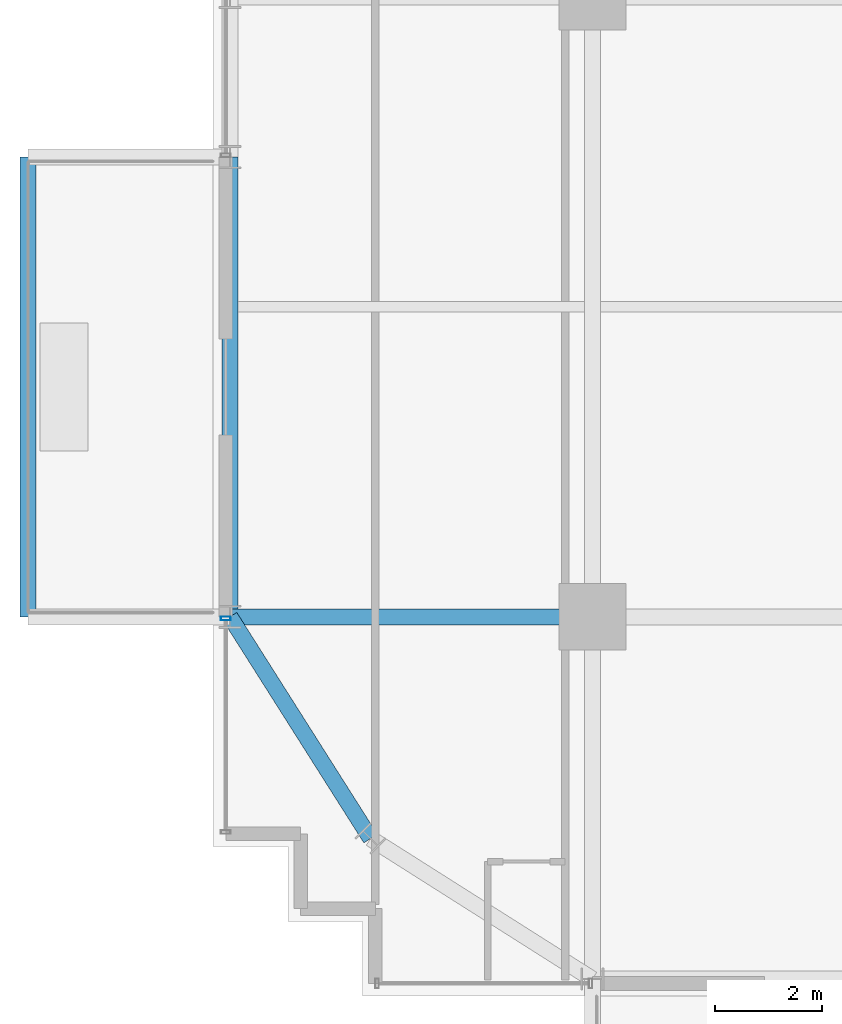
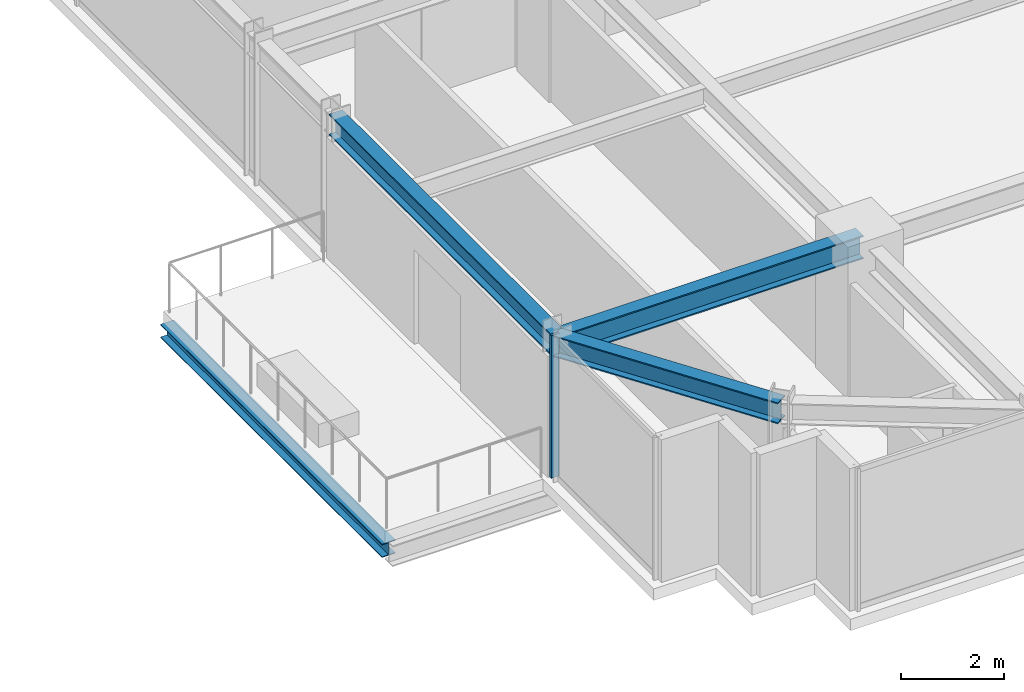
# One storey, part 4 of 32: 4 beams, 1 member, 1 element without a shape of its own.
"""IFC4 building model written with IfcOpenShell, lengths in metres."""

from ifc_helpers import new_model, si_unit, direction, frame, origin, origin_2d, place, context, subcontext, project, spatial, hollow_rectangle, i_section, extrude, source, transform, mapped, material, material_profile, profile_set, type_object, element, aggregate, save


model = new_model("IFC4")

# Units and contexts
model_context = context("Model", 3, precision=1e-05, world=origin(), true_north=direction((0.0, 1.0)))
body_context = subcontext(model_context, "Body", "Model", "MODEL_VIEW")
ifc_project = project(units=[si_unit("LENGTHUNIT", "METRE"), si_unit("AREAUNIT", "SQUARE_METRE"), si_unit("VOLUMEUNIT", "CUBIC_METRE"), si_unit("PLANEANGLEUNIT", "RADIAN"), si_unit("MASSUNIT", "GRAM", prefix="KILO")], contexts=[model_context])

# Site, building, storey
site_placement = place(None, origin())
site = spatial("IfcSite", under=ifc_project, at=site_placement, CompositionType="ELEMENT")
building_placement = place(site_placement, origin())
building = spatial("IfcBuilding", under=site, at=building_placement, Name="Nahalor Promenade Grand Hotel", CompositionType="ELEMENT")
storey_placement = place(building_placement, frame((0.0, 0.0, 110.199951171875)))
storey = spatial("IfcBuildingStorey", under=building, at=storey_placement, Name="L27", CompositionType="ELEMENT", Elevation=110.199951171875)

# Beams
ifc_material_1 = material(Name="Steel S355JR", Category="steel")
ifc_material_profile_1 = material_profile(ifc_material_1, i_section(OverallWidth=0.3, OverallDepth=0.32, WebThickness=0.0115, FlangeThickness=0.0205, at=origin_2d()), Name="HEB 320")
ifc_profile_set_1 = profile_set([ifc_material_profile_1], Name="Steel S355JR")
beam_type_1 = type_object("IfcBeamType", Name="Beam-BalcEdge-HEB320", PredefinedType="SPANDREL", material=ifc_profile_set_1)
shared_shape_1 = source(origin(), body_context, "Body", "SweptSolid", [
    extrude(i_section(OverallWidth=0.3, OverallDepth=0.32, WebThickness=0.0115, FlangeThickness=0.0205, at=origin_2d()), origin(), (0.0, 0.0, 1.0), 8.60009765625),
])
beam_1_placement = place(storey_placement, frame((-27.56005859375, -17.0, -0.43994140625), z_axis=(0.0, 1.0, 0.0), x_axis=(-1.0, 0.0, 0.0)))
element("IfcBeam", 1, at=beam_1_placement, inside=storey, type_object=beam_type_1, Name="BM-L27-BC-02-F", PredefinedType="SPANDREL", context=body_context, shape_type="MappedRepresentation", body=[
    mapped(shared_shape_1, transform((0.0, 0.0, 0.0), scale=1.0)),
])
ifc_material_profile_2 = material_profile(ifc_material_1, i_section(OverallWidth=0.3, OverallDepth=0.5, WebThickness=0.0145, FlangeThickness=0.028, at=origin_2d()), Name="HEB 500")
ifc_profile_set_2 = profile_set([ifc_material_profile_2], Name="Steel S355JR")
beam_type_2 = type_object("IfcBeamType", Name="Beam-Spandrel-HEB500", PredefinedType="SPANDREL", material=ifc_profile_set_2)
shared_shape_2 = source(origin(), body_context, "Body", "SweptSolid", [
    extrude(i_section(OverallWidth=0.3, OverallDepth=0.5, WebThickness=0.0145, FlangeThickness=0.028, at=origin_2d()), origin(), (0.0, 0.0, 1.0), 8.60009765625),
])
beam_2_placement = place(storey_placement, frame((-23.780029296875, -17.0, 3.130126953125), z_axis=(0.0, 1.0, 0.0), x_axis=(-1.0, 0.0, 0.0)))
element("IfcBeam", 2, at=beam_2_placement, inside=storey, type_object=beam_type_2, Name="BM-L27-SP-W-0", PredefinedType="SPANDREL", context=body_context, shape_type="MappedRepresentation", body=[
    mapped(shared_shape_2, transform((0.0, 0.0, 0.0), scale=1.0)),
])
shared_shape_3 = source(origin(), body_context, "Body", "SweptSolid", [
    extrude(i_section(OverallWidth=0.3, OverallDepth=0.5, WebThickness=0.0145, FlangeThickness=0.028, at=origin_2d()), origin(), (0.0, 0.0, 1.0), 4.9130859375),
])
beam_3_placement = place(storey_placement, frame((-21.14990234375, -21.14990234375, 3.130126953125), z_axis=(-0.535321591403, 0.844648325505, 0.0), x_axis=(-0.844648325505, -0.535321591403, 0.0)))
element("IfcBeam", 3, at=beam_3_placement, inside=storey, type_object=beam_type_2, Name="BM-L27-SPC-SW-2", PredefinedType="SPANDREL", context=body_context, shape_type="MappedRepresentation", body=[
    mapped(shared_shape_3, transform((0.0, 0.0, 0.0), scale=1.0)),
])
ifc_material_profile_3 = material_profile(ifc_material_1, i_section(OverallWidth=0.3, OverallDepth=0.55, WebThickness=0.015, FlangeThickness=0.029, at=origin_2d()), Name="HEB 550")
ifc_profile_set_3 = profile_set([ifc_material_profile_3], Name="Steel S355JR")
beam_type_3 = type_object("IfcBeamType", Name="Beam-Girder-HEB550", PredefinedType="BEAM", material=ifc_profile_set_3)
shared_shape_4 = source(origin(), body_context, "Body", "SweptSolid", [
    extrude(i_section(OverallWidth=0.3, OverallDepth=0.55, WebThickness=0.015, FlangeThickness=0.029, at=origin_2d()), origin(), (0.0, 0.0, 1.0), 6.780029296875),
])
beam_4_placement = place(storey_placement, frame((-23.780029296875, -17.0, 3.10498046875), z_axis=(1.0, 0.0, 0.0), x_axis=(0.0, 1.0, 0.0)))
element("IfcBeam", 4, at=beam_4_placement, inside=storey, type_object=beam_type_3, Name="BM-L27-GX-0-0", PredefinedType="BEAM", context=body_context, shape_type="MappedRepresentation", body=[
    mapped(shared_shape_4, transform((0.0, 0.0, 0.0), scale=1.0)),
])

# Curtain wall, member
ifc_material_2 = material(Name="Anodised Bronze Aluminium EN AW-6063 T6", Category="aluminium")
curtain_wall_type = type_object("IfcCurtainWallType", Name="CW2 Typical Hotel Flush Bronze Unitised Curtain Wall", PredefinedType="USERDEFINED", material=ifc_material_2)
curtain_wall_placement = place(storey_placement, origin())
curtain_wall = element("IfcCurtainWall", 5, at=curtain_wall_placement, inside=storey, type_object=curtain_wall_type, Name="L27 Curtain Wall CW-L27-W-1", ObjectType="UNITISED_CURTAIN_WALL", PredefinedType="USERDEFINED")
ifc_material_profile_4 = material_profile(ifc_material_2, hollow_rectangle(XDim=0.065, YDim=0.18, WallThickness=0.004, at=origin_2d()), Name="CWM 65x180x4")
ifc_profile_set_4 = profile_set([ifc_material_profile_4], Name="Anodised Bronze Aluminium EN AW-6063 T6")
member_type = type_object("IfcMemberType", Name="CWM2 Typical Bronze Mullion 65x180", PredefinedType="MULLION", material=ifc_profile_set_4)
shared_shape_5 = source(origin(), body_context, "Body", "SweptSolid", [
    extrude(hollow_rectangle(XDim=0.065, YDim=0.18, WallThickness=0.004, at=origin_2d()), origin(), (0.0, 0.0, 1.0), 3.380126953125),
])
member_placement = place(storey_placement, frame((-23.860107421875, -17.032470703125, 0.0), z_axis=(0.0, 0.0, 1.0), x_axis=(0.0, 1.0, 0.0)))
member = element("IfcMember", 6, at=member_placement, type_object=member_type, Name="CW-L27-W-1 Mullion 1", PredefinedType="MULLION", context=body_context, shape_type="MappedRepresentation", body=[
    mapped(shared_shape_5, transform((0.0, 0.0, 0.0), scale=1.0)),
])
aggregate(curtain_wall, [member])

save(model, "model.ifc")
